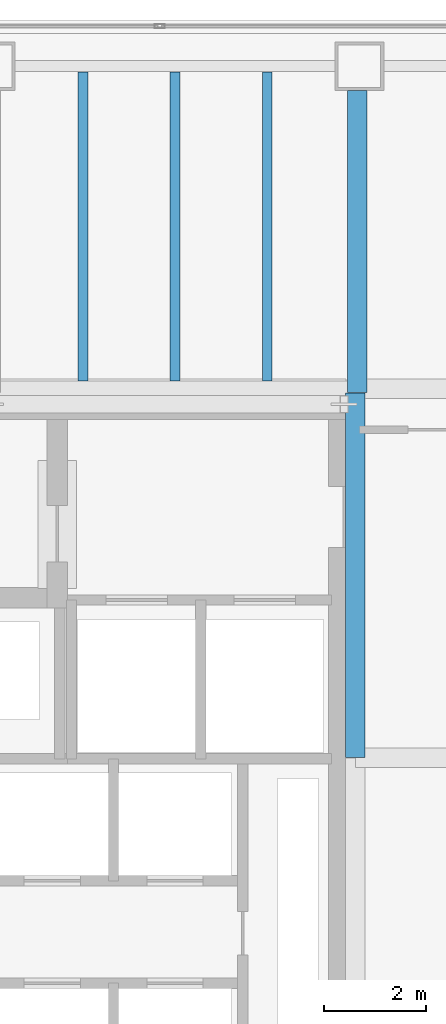
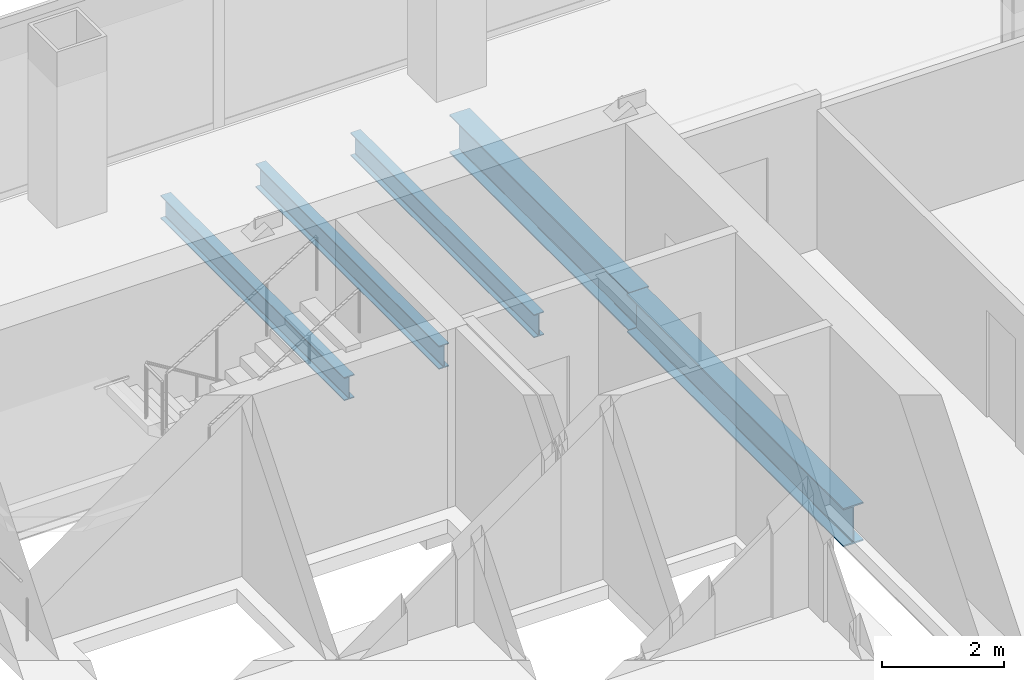
# One storey, part 15 of 24: 5 beams.
"""IFC4 building model written with IfcOpenShell, lengths in metres."""

from ifc_helpers import new_model, si_unit, direction, frame, origin, origin_2d, place, context, subcontext, project, spatial, i_section, extrude, material, material_profile, profile_set, type_object, element, save


model = new_model("IFC4")

# Units and contexts
model_context = context("Model", 3, precision=1e-05, world=origin(), true_north=direction((0.0, 1.0)))
body_context = subcontext(model_context, "Body", "Model", "MODEL_VIEW")
ifc_project = project(units=[si_unit("LENGTHUNIT", "METRE"), si_unit("AREAUNIT", "SQUARE_METRE"), si_unit("VOLUMEUNIT", "CUBIC_METRE"), si_unit("PLANEANGLEUNIT", "RADIAN"), si_unit("MASSUNIT", "GRAM", prefix="KILO")], contexts=[model_context])

# Site, building, storey
site_placement = place(None, origin())
site = spatial("IfcSite", under=ifc_project, at=site_placement, CompositionType="ELEMENT")
building_placement = place(site_placement, origin())
building = spatial("IfcBuilding", under=site, at=building_placement, Name="Cobrela Telecom Tower", CompositionType="ELEMENT")
storey_placement = place(building_placement, frame((0.0, 0.0, 85.050048828125)))
storey = spatial("IfcBuildingStorey", under=building, at=storey_placement, Name="L21", CompositionType="ELEMENT", Elevation=85.050048828125)

# Beams
ifc_material = material(Name="Steel ASTM A992 Grade 50", Category="steel")
ifc_material_profile_1 = material_profile(ifc_material, i_section(OverallWidth=0.381103515625, OverallDepth=0.77197265625, WebThickness=0.0166015625, FlangeThickness=0.027099609375, FilletRadius=0.01904296875, at=origin_2d()), Name="W30X173")
ifc_profile_set_1 = profile_set([ifc_material_profile_1], Name="Steel ASTM A992 Grade 50")
beam_type_1 = type_object("IfcBeamType", Name="BM-GIRD-04", PredefinedType="USERDEFINED", material=ifc_profile_set_1)
beam_1_placement = place(storey_placement, frame((14.320068359375, 28.804931640625, -0.666015625), z_axis=(0.0, 1.0, 0.0), x_axis=(-1.0, 0.0, 0.0)))
element("IfcBeam", 1, at=beam_1_placement, inside=storey, type_object=beam_type_1, Name="L21 Primary Girder Y38", ObjectType="GIRDER", PredefinedType="USERDEFINED", context=body_context, shape_type="SweptSolid", body=[
    extrude(i_section(OverallWidth=0.381103515625, OverallDepth=0.77197265625, WebThickness=0.0166015625, FlangeThickness=0.027099609375, FilletRadius=0.01904296875, at=origin_2d()), origin(), (0.0, 0.0, 1.0), 7.110107421875),
])
beam_2_placement = place(storey_placement, frame((14.360107421875, 35.925048828125, -0.666015625), z_axis=(0.0, 1.0, 0.0), x_axis=(-1.0, 0.0, 0.0)))
element("IfcBeam", 2, at=beam_2_placement, inside=storey, type_object=beam_type_1, Name="L21 Primary Girder Y39", ObjectType="GIRDER", PredefinedType="USERDEFINED", context=body_context, shape_type="SweptSolid", body=[
    extrude(i_section(OverallWidth=0.381103515625, OverallDepth=0.77197265625, WebThickness=0.0166015625, FlangeThickness=0.027099609375, FilletRadius=0.01904296875, at=origin_2d()), origin(), (0.0, 0.0, 1.0), 5.89501953125),
])
ifc_material_profile_2 = material_profile(ifc_material, i_section(OverallWidth=0.193115234375, OverallDepth=0.467041015625, WebThickness=0.011474609375, FlangeThickness=0.01904296875, FilletRadius=0.012939453125, at=origin_2d()), Name="W18X65")
ifc_profile_set_2 = profile_set([ifc_material_profile_2], Name="Steel ASTM A992 Grade 50")
beam_type_2 = type_object("IfcBeamType", Name="BM-JOIST-03", PredefinedType="JOIST", material=ifc_profile_set_2)
for number, where, z_axis, x_axis, name in (
    (3, (9.0, 36.155517578125, -0.513427734375), (0.0, 1.0, 0.0), (-1.0, 0.0, 0.0), "L21 Secondary Composite Floor Beam J02"),
    (4, (10.800048828125, 36.155517578125, -0.513427734375), (0.0, 1.0, 0.0), (-1.0, 0.0, 0.0), "L21 Secondary Composite Floor Beam J04"),
    (5, (12.60009765625, 36.155517578125, -0.513427734375), (0.0, 1.0, 0.0), (-1.0, 0.0, 0.0), "L21 Secondary Composite Floor Beam J06"),
):
    element("IfcBeam", number, at=place(storey_placement, frame(where, z_axis=z_axis, x_axis=x_axis)), inside=storey, type_object=beam_type_2, Name=name, PredefinedType="JOIST", context=body_context, shape_type="SweptSolid", body=[
        extrude(i_section(OverallWidth=0.193115234375, OverallDepth=0.467041015625, WebThickness=0.011474609375, FlangeThickness=0.01904296875, FilletRadius=0.012939453125, at=origin_2d()), origin(), (0.0, 0.0, 1.0), 6.032958984375),
    ])

save(model, "model.ifc")
